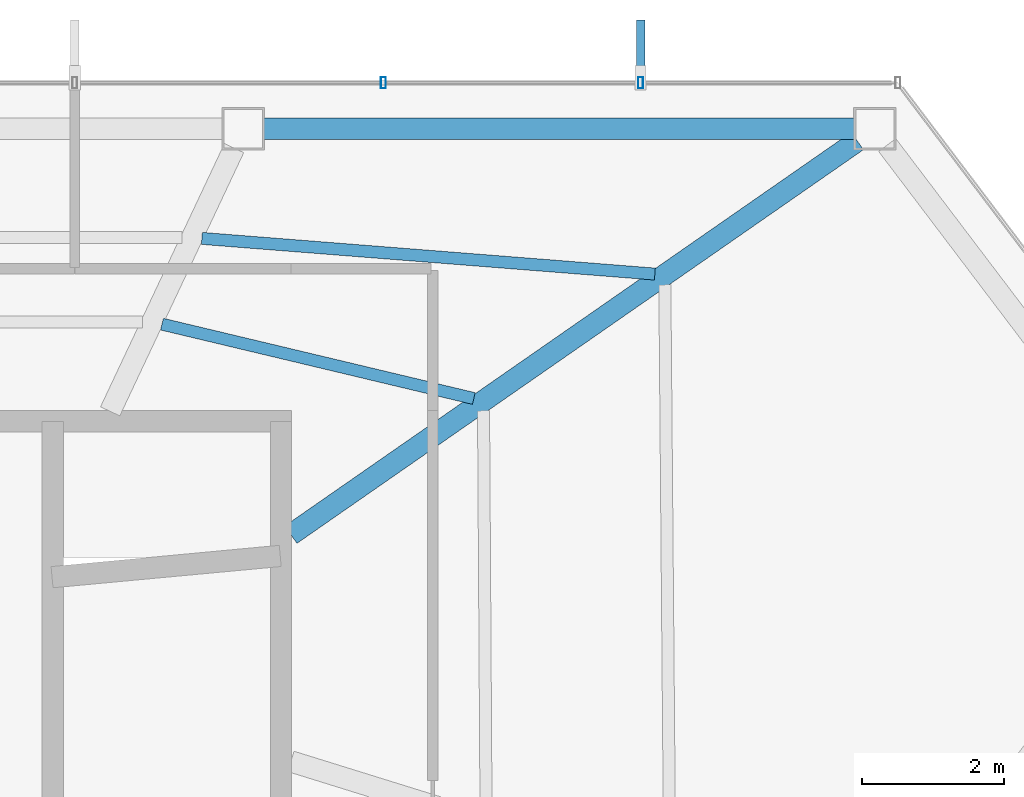
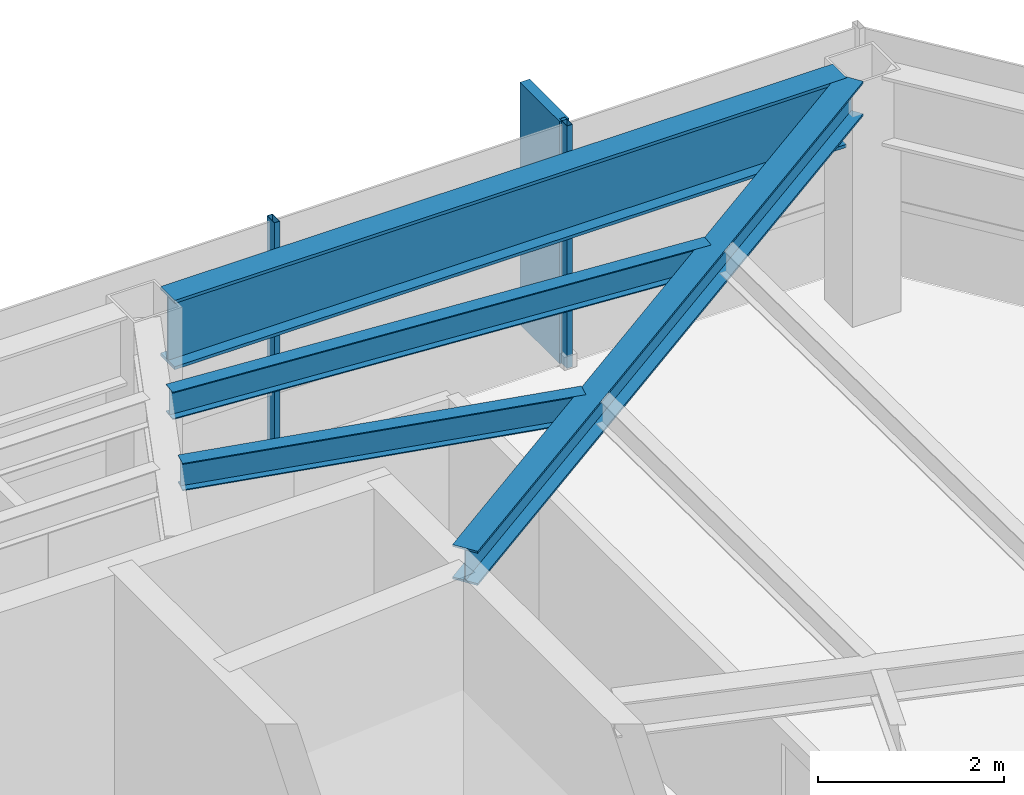
# One storey, part 21 of 27: 4 beams, 3 members, 1 element without a shape of its own.
"""IFC4 building model written with IfcOpenShell, lengths in metres."""

from ifc_helpers import new_model, si_unit, direction, frame, origin, origin_2d, place, context, subcontext, project, spatial, rectangle, hollow_rectangle, i_section, extrude, material, layer, layer_set, material_profile, profile_set, type_object, element, aggregate, save


model = new_model("IFC4")

# Units and contexts
model_context = context("Model", 3, precision=1e-05, world=origin(), true_north=direction((0.0, 1.0)))
body_context = subcontext(model_context, "Body", "Model", "MODEL_VIEW")
ifc_project = project(units=[si_unit("LENGTHUNIT", "METRE"), si_unit("AREAUNIT", "SQUARE_METRE"), si_unit("VOLUMEUNIT", "CUBIC_METRE"), si_unit("PLANEANGLEUNIT", "RADIAN"), si_unit("MASSUNIT", "GRAM", prefix="KILO")], contexts=[model_context])

# Site, building, storey
site_placement = place(None, origin())
site = spatial("IfcSite", under=ifc_project, at=site_placement, CompositionType="ELEMENT")
building_placement = place(site_placement, origin())
building = spatial("IfcBuilding", under=site, at=building_placement, Name="Zarrinselat Tower", CompositionType="ELEMENT")
storey_placement = place(building_placement, frame((0.0, 0.0, 232.56005859375)))
storey = spatial("IfcBuildingStorey", under=building, at=storey_placement, Name="L58", CompositionType="ELEMENT", Elevation=232.56005859375)

# Beams
ifc_material_1 = material(Name="Steel S355J2", Category="steel")
ifc_material_profile_1 = material_profile(ifc_material_1, i_section(OverallWidth=0.300048828125, OverallDepth=0.449951171875, WebThickness=0.013916015625, FlangeThickness=0.02587890625, at=origin_2d()), Name="HEB 450")
ifc_profile_set_1 = profile_set([ifc_material_profile_1], Name="Steel S355J2")
beam_type_1 = type_object("IfcBeamType", Name="BM-HEB450", PredefinedType="BEAM", material=ifc_profile_set_1)
beam_1_placement = place(storey_placement, frame((48.35009765625, 41.800048828125, 2.954833984375), z_axis=(0.821180621755, 0.570668368191, 0.0), x_axis=(-0.570668368191, 0.821180621755, 0.0)))
element("IfcBeam", 1, at=beam_1_placement, inside=storey, type_object=beam_type_1, Name="L58 Radial Primary Girder RG01", PredefinedType="BEAM", context=body_context, shape_type="SweptSolid", body=[
    extrude(i_section(OverallWidth=0.300048828125, OverallDepth=0.449951171875, WebThickness=0.013916015625, FlangeThickness=0.02587890625, at=origin_2d()), origin(), (0.0, 0.0, 1.0), 9.73486328125),
])
ifc_material_2 = material(Name="Steel S460M", Category="steel")
ifc_material_profile_2 = material_profile(ifc_material_2, i_section(OverallWidth=0.302001953125, OverallDepth=0.909912109375, WebThickness=0.02099609375, FlangeThickness=0.0400390625, at=origin_2d()), Name="HEM 900")
ifc_profile_set_2 = profile_set([ifc_material_profile_2], Name="Steel S460M")
beam_type_2 = type_object("IfcBeamType", Name="BM-HEM900", PredefinedType="BEAM", material=ifc_profile_set_2)
beam_2_placement = place(storey_placement, frame((47.9658203125, 47.52783203125, 2.724853515625), z_axis=(1.0, 0.0, 0.0), x_axis=(0.0, 1.0, 0.0)))
element("IfcBeam", 2, at=beam_2_placement, inside=storey, type_object=beam_type_2, Name="L58 Perimeter Spandrel Girder SP01", PredefinedType="BEAM", context=body_context, shape_type="SweptSolid", body=[
    extrude(i_section(OverallWidth=0.302001953125, OverallDepth=0.909912109375, WebThickness=0.02099609375, FlangeThickness=0.0400390625, at=origin_2d()), origin(), (0.0, 0.0, 1.0), 8.33837890625),
])
ifc_material_3 = material(Name="Steel S355J2", Category="steel")
ifc_material_profile_3 = material_profile(ifc_material_3, i_section(OverallWidth=0.169921875, OverallDepth=0.360107421875, WebThickness=0.008056640625, FlangeThickness=0.0126953125, at=origin_2d()), Name="IPE 360")
ifc_profile_set_3 = profile_set([ifc_material_profile_3], Name="Steel S355J2")
beam_type_3 = type_object("IfcBeamType", Name="BM-IPE360", PredefinedType="JOIST", material=ifc_profile_set_3)
beam_3_placement = place(storey_placement, frame((47.093994140625, 45.980712890625, 3.0), z_axis=(0.996916516192, -0.078469482885, 0.0), x_axis=(0.078469482885, 0.996916516192, 0.0)))
element("IfcBeam", 3, at=beam_3_placement, inside=storey, type_object=beam_type_3, Name="L58 Composite Floor Joist 6-1", PredefinedType="JOIST", context=body_context, shape_type="SweptSolid", body=[
    extrude(i_section(OverallWidth=0.169921875, OverallDepth=0.360107421875, WebThickness=0.008056640625, FlangeThickness=0.0126953125, at=origin_2d()), origin(), (0.0, 0.0, 1.0), 6.412353515625),
])
beam_4_placement = place(storey_placement, frame((46.531005859375, 44.7705078125, 3.0), z_axis=(0.972732052992, -0.231931785408, 0.0), x_axis=(0.231931785408, 0.972732052992, 0.0)))
element("IfcBeam", 4, at=beam_4_placement, inside=storey, type_object=beam_type_3, Name="L58 Composite Floor Joist 6-2", PredefinedType="JOIST", context=body_context, shape_type="SweptSolid", body=[
    extrude(i_section(OverallWidth=0.169921875, OverallDepth=0.360107421875, WebThickness=0.008056640625, FlangeThickness=0.0126953125, at=origin_2d()), origin(), (0.0, 0.0, 1.0), 4.524169921875),
])

# Curtain wall, members
ifc_material_4 = material(Name="Extruded Aluminium Alloy EN AW-6063 T6", Category="aluminium")
ifc_layer = layer(ifc_material_4, 0.169921875)
ifc_layer_set = layer_set([ifc_layer], Name="Extruded Aluminium Alloy EN AW-6063 T6")
curtain_wall_type = type_object("IfcCurtainWallType", Name="CWS-RES", PredefinedType="NOTDEFINED", material=ifc_layer_set)
curtain_wall_placement = place(storey_placement, origin())
curtain_wall = element("IfcCurtainWall", 5, at=curtain_wall_placement, inside=storey, type_object=curtain_wall_type, Name="L58 Unitised Curtain Wall CW-L58-E01", PredefinedType="NOTDEFINED")
ifc_material_5 = material(Name="Extruded Aluminium Alloy EN AW-6063 T6", Category="aluminium")
ifc_material_profile_4 = material_profile(ifc_material_5, hollow_rectangle(XDim=0.070068359375, YDim=0.159912109375, WallThickness=0.00390625, at=origin_2d()), Name="RHS 160x70x4")
ifc_profile_set_4 = profile_set([ifc_material_profile_4], Name="Extruded Aluminium Alloy EN AW-6063 T6")
member_type_1 = type_object("IfcMemberType", Name="MEM-CW-MUL2", PredefinedType="MULLION", material=ifc_profile_set_4)
member_1_placement = place(storey_placement, frame((53.284912109375, 48.177734375, 0.0), z_axis=(0.0, 0.0, 1.0), x_axis=(-1.0, 0.0, 0.0)))
member_1 = element("IfcMember", 6, at=member_1_placement, type_object=member_type_1, Name="CW-L58-E01 Mullion 1", PredefinedType="MULLION", context=body_context, shape_type="SweptSolid", body=[
    extrude(hollow_rectangle(XDim=0.070068359375, YDim=0.159912109375, WallThickness=0.00390625, at=origin_2d()), origin(), (0.0, 0.0, 1.0), 3.179931640625),
])
member_2_placement = place(storey_placement, frame((49.654541015625, 48.177734375, 0.0), z_axis=(0.0, 0.0, 1.0), x_axis=(-1.0, 0.0, 0.0)))
member_2 = element("IfcMember", 7, at=member_2_placement, type_object=member_type_1, Name="CW-L58-E01 Mullion 2", PredefinedType="MULLION", context=body_context, shape_type="SweptSolid", body=[
    extrude(hollow_rectangle(XDim=0.070068359375, YDim=0.159912109375, WallThickness=0.00390625, at=origin_2d()), origin(), (0.0, 0.0, 1.0), 3.179931640625),
])
ifc_material_6 = material(Name="Honed Cream Travertine Stone", Category="masonry")
ifc_material_profile_5 = material_profile(ifc_material_6, rectangle(XDim=0.1201171875, YDim=0.85009765625, at=origin_2d()), Name="FIN 850x120")
ifc_profile_set_5 = profile_set([ifc_material_profile_5], Name="Honed Cream Travertine Stone")
member_type_2 = type_object("IfcMemberType", Name="MEM-STONE-FIN", PredefinedType="USERDEFINED", material=ifc_profile_set_5)
member_3_placement = place(storey_placement, frame((53.284912109375, 48.6376953125, 0.0), z_axis=(0.0, 0.0, 1.0), x_axis=(1.0, 0.0, 0.0)))
member_3 = element("IfcMember", 8, at=member_3_placement, type_object=member_type_2, Name="L58 Stone Shading Fin CW-L58-E01-01", ObjectType="FIN", PredefinedType="USERDEFINED", context=body_context, shape_type="SweptSolid", body=[
    extrude(rectangle(XDim=0.1201171875, YDim=0.85009765625, at=origin_2d()), origin(), (0.0, 0.0, 1.0), 3.179931640625),
])
aggregate(curtain_wall, [member_1, member_3, member_2])

save(model, "model.ifc")
